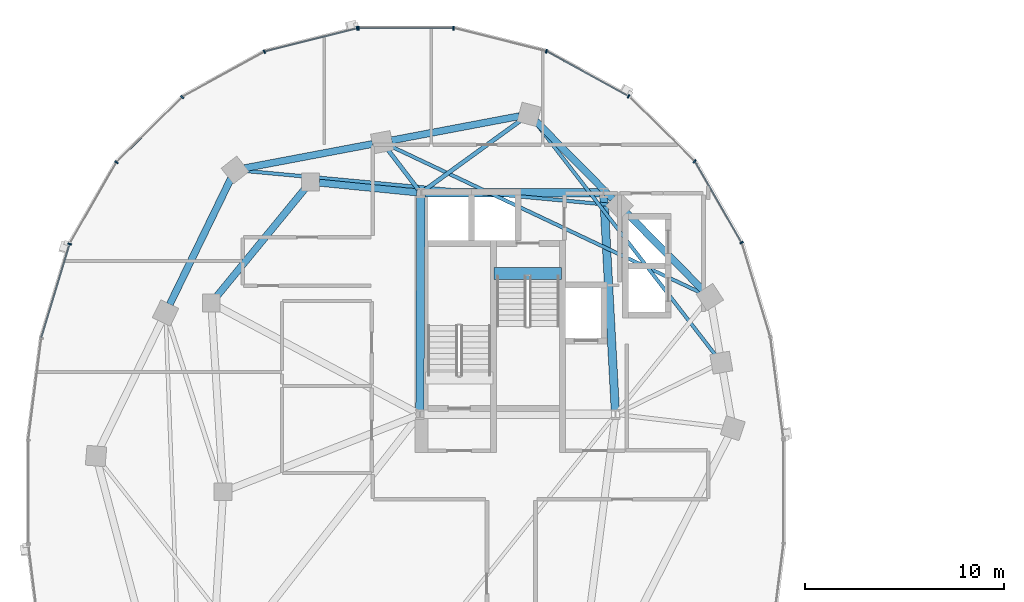
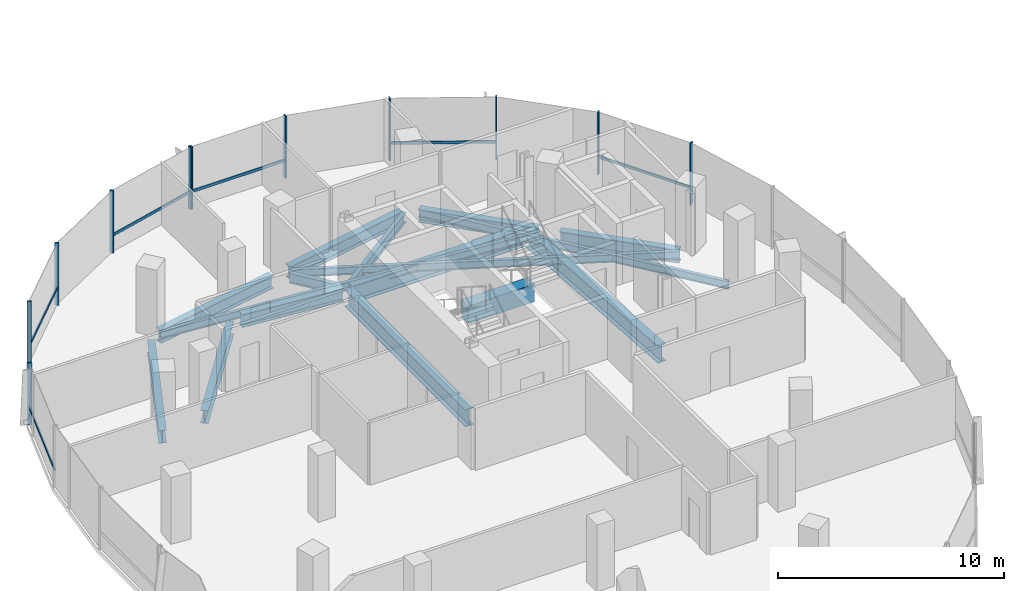
# One storey, part 5 of 22: 17 members, 16 beams, 2 elements without a shape of their own.
"""IFC4 building model written with IfcOpenShell, lengths in metres."""

from ifc_helpers import new_model, si_unit, direction, frame, origin, origin_2d, place, context, subcontext, project, spatial, rectangle, i_section, extrude, material, material_profile, profile_set, type_object, element, aggregate, save


model = new_model("IFC4")

# Units and contexts
model_context = context("Model", 3, precision=1e-05, world=origin(), true_north=direction((0.0, 1.0)))
body_context = subcontext(model_context, "Body", "Model", "MODEL_VIEW")
ifc_project = project(units=[si_unit("LENGTHUNIT", "METRE"), si_unit("AREAUNIT", "SQUARE_METRE"), si_unit("VOLUMEUNIT", "CUBIC_METRE"), si_unit("PLANEANGLEUNIT", "RADIAN"), si_unit("MASSUNIT", "GRAM", prefix="KILO"), si_unit("THERMODYNAMICTEMPERATUREUNIT", "KELVIN"), si_unit("POWERUNIT", "WATT")], contexts=[model_context])

# Site, building, storey
site_placement = place(None, origin())
site = spatial("IfcSite", under=ifc_project, at=site_placement, CompositionType="ELEMENT")
building_placement = place(site_placement, origin())
building = spatial("IfcBuilding", under=site, at=building_placement, Name="Cundina Bronze Exchange", CompositionType="ELEMENT")
storey_placement = place(building_placement, frame((0.0, 0.0, 158.39990234375)))
storey = spatial("IfcBuildingStorey", under=building, at=storey_placement, Name="L41", CompositionType="ELEMENT", Elevation=158.39990234375)

# Beams
ifc_material_1 = material(Name="Concrete C60/75", Category="concrete")
ifc_material_profile_1 = material_profile(ifc_material_1, rectangle(XDim=0.60009765625, YDim=0.949951171875, at=origin_2d()), Name="RC600X950", Category="concrete")
ifc_profile_set_1 = profile_set([ifc_material_profile_1], Name="Concrete C60/75")
beam_type_1 = type_object("IfcBeamType", Name="BM-COUP-RC950", PredefinedType="LINTEL", material=ifc_profile_set_1)
beam_1_placement = place(storey_placement, frame((-27.56005859375, 10.97998046875, -0.474853515625), z_axis=(1.0, 0.0, 0.0), x_axis=(0.0, 1.0, 0.0)))
element("IfcBeam", 1, at=beam_1_placement, inside=storey, type_object=beam_type_1, Name="L41 Stair W2 Landing Header Beam", PredefinedType="LINTEL", context=body_context, shape_type="SweptSolid", body=[
    extrude(rectangle(XDim=0.60009765625, YDim=0.949951171875, at=origin_2d()), origin(), (0.0, 0.0, 1.0), 3.400146484375),
])
ifc_material_2 = material(Name="Steel ASTM A992 Grade 50", Category="steel")
ifc_material_profile_2 = material_profile(ifc_material_2, i_section(OverallWidth=0.2119140625, OverallDepth=0.5439453125, WebThickness=0.01318359375, FlangeThickness=0.021240234375, FilletRadius=0.013916015625, at=origin_2d()), Name="W21X83", Category="steel")
ifc_profile_set_2 = profile_set([ifc_material_profile_2], Name="Steel ASTM A992 Grade 50")
beam_type_2 = type_object("IfcBeamType", Name="BM-FLR-W21A", PredefinedType="BEAM", material=ifc_profile_set_2)
beam_2_placement = place(storey_placement, frame((-31.084716796875, 15.169677734375, -0.511962890625), z_axis=(0.809693047063, 0.586853618492, 0.0), x_axis=(-0.586853618492, 0.809693047063, 0.0)))
element("IfcBeam", 2, at=beam_2_placement, inside=storey, type_object=beam_type_2, Name="L41 Leg W Radial Floor Beam 04", PredefinedType="BEAM", context=body_context, shape_type="SweptSolid", body=[
    extrude(i_section(OverallWidth=0.2119140625, OverallDepth=0.5439453125, WebThickness=0.01318359375, FlangeThickness=0.021240234375, FilletRadius=0.013916015625, at=origin_2d()), origin(), (0.0, 0.0, 1.0), 6.038818359375),
])
beam_3_placement = place(storey_placement, frame((-31.373779296875, 15.2119140625, -0.511962890625), z_axis=(-0.607450107571, 0.794357832977, 0.0), x_axis=(-0.794357832977, -0.607450107571, 0.0)))
element("IfcBeam", 3, at=beam_3_placement, inside=storey, type_object=beam_type_2, Name="L41 Leg W Radial Floor Beam 05", PredefinedType="BEAM", context=body_context, shape_type="SweptSolid", body=[
    extrude(i_section(OverallWidth=0.2119140625, OverallDepth=0.5439453125, WebThickness=0.01318359375, FlangeThickness=0.021240234375, FilletRadius=0.013916015625, at=origin_2d()), origin(), (0.0, 0.0, 1.0), 2.518310546875),
])
ifc_material_profile_3 = material_profile(ifc_material_2, i_section(OverallWidth=0.178955078125, OverallDepth=0.409912109375, WebThickness=0.0087890625, FlangeThickness=0.014404296875, FilletRadius=0.010986328125, at=origin_2d()), Name="W16X45", Category="steel")
ifc_profile_set_3 = profile_set([ifc_material_profile_3], Name="Steel ASTM A992 Grade 50")
beam_type_3 = type_object("IfcBeamType", Name="BM-JST-W16", PredefinedType="JOIST", material=ifc_profile_set_3)
beam_4_placement = place(storey_placement, frame((-16.423583984375, 6.885986328125, -0.44482421875), z_axis=(-0.61208354334, 0.790793105668, 0.0), x_axis=(-0.790793105668, -0.61208354334, 0.0)))
element("IfcBeam", 4, at=beam_4_placement, inside=storey, type_object=beam_type_3, Name="L41 Leg W Lobe Floor Joist 01-04", PredefinedType="JOIST", context=body_context, shape_type="SweptSolid", body=[
    extrude(i_section(OverallWidth=0.178955078125, OverallDepth=0.409912109375, WebThickness=0.0087890625, FlangeThickness=0.014404296875, FilletRadius=0.010986328125, at=origin_2d()), origin(), (0.0, 0.0, 1.0), 14.830810546875),
])
beam_5_placement = place(storey_placement, frame((-17.14111328125, 10.008544921875, -0.44482421875), z_axis=(-0.904074252188, 0.427375416385, 0.0), x_axis=(-0.427375416385, -0.904074252188, 0.0)))
element("IfcBeam", 5, at=beam_5_placement, inside=storey, type_object=beam_type_3, Name="L41 Leg W Lobe Floor Joist 02-05", PredefinedType="JOIST", context=body_context, shape_type="SweptSolid", body=[
    extrude(i_section(OverallWidth=0.178955078125, OverallDepth=0.409912109375, WebThickness=0.0087890625, FlangeThickness=0.014404296875, FilletRadius=0.010986328125, at=origin_2d()), origin(), (0.0, 0.0, 1.0), 17.274658203125),
])
beam_6_placement = place(storey_placement, frame((-21.73583984375, 14.4453125, -0.44482421875), z_axis=(-0.995701840093, 0.092616659595, 0.0), x_axis=(-0.092616659595, -0.995701840093, 0.0)))
element("IfcBeam", 6, at=beam_6_placement, inside=storey, type_object=beam_type_3, Name="L41 Leg W Lobe Floor Joist 03-06", PredefinedType="JOIST", context=body_context, shape_type="SweptSolid", body=[
    extrude(i_section(OverallWidth=0.178955078125, OverallDepth=0.409912109375, WebThickness=0.0087890625, FlangeThickness=0.014404296875, FilletRadius=0.010986328125, at=origin_2d()), origin(), (0.0, 0.0, 1.0), 18.45751953125),
])
ifc_material_profile_4 = material_profile(ifc_material_2, i_section(OverallWidth=0.35498046875, OverallDepth=0.695068359375, WebThickness=0.015380859375, FlangeThickness=0.02490234375, FilletRadius=0.01806640625, at=origin_2d()), Name="W27X146", Category="steel")
ifc_profile_set_4 = profile_set([ifc_material_profile_4], Name="Steel ASTM A992 Grade 50")
beam_type_4 = type_object("IfcBeamType", Name="BM-RING-W27", PredefinedType="USERDEFINED", material=ifc_profile_set_4)
beam_7_placement = place(storey_placement, frame((-31.452880859375, 15.070068359375, -0.58740234375), z_axis=(-0.995123020608, 0.098641643622, 0.0), x_axis=(-0.098641643622, -0.995123020608, 0.0)))
element("IfcBeam", 7, at=beam_7_placement, inside=storey, type_object=beam_type_4, Name="L41 W Inner Structural Ring Girder 01", ObjectType="GIRDER", PredefinedType="USERDEFINED", context=body_context, shape_type="SweptSolid", body=[
    extrude(i_section(OverallWidth=0.35498046875, OverallDepth=0.695068359375, WebThickness=0.015380859375, FlangeThickness=0.02490234375, FilletRadius=0.01806640625, at=origin_2d()), origin(), (0.0, 0.0, 1.0), 4.935302734375),
])
beam_8_placement = place(storey_placement, frame((-37.07763671875, 15.26123046875, -0.58740234375), z_axis=(-0.633912590175, -0.77340469873, 0.0), x_axis=(0.77340469873, -0.633912590175, 0.0)))
element("IfcBeam", 8, at=beam_8_placement, inside=storey, type_object=beam_type_4, Name="L41 W Inner Structural Ring Girder 02", ObjectType="GIRDER", PredefinedType="USERDEFINED", context=body_context, shape_type="SweptSolid", body=[
    extrude(i_section(OverallWidth=0.35498046875, OverallDepth=0.695068359375, WebThickness=0.015380859375, FlangeThickness=0.02490234375, FilletRadius=0.01806640625, at=origin_2d()), origin(), (0.0, 0.0, 1.0), 7.01123046875),
])
beam_9_placement = place(storey_placement, frame((-17.043212890625, 10.14697265625, -0.58740234375), z_axis=(-0.703230112979, 0.710962311378, 0.0), x_axis=(-0.710962311378, -0.703230112979, 0.0)))
element("IfcBeam", 9, at=beam_9_placement, inside=storey, type_object=beam_type_4, Name="L41 W Perimeter Ring Girder 02", ObjectType="GIRDER", PredefinedType="USERDEFINED", context=body_context, shape_type="SweptSolid", body=[
    extrude(i_section(OverallWidth=0.35498046875, OverallDepth=0.695068359375, WebThickness=0.015380859375, FlangeThickness=0.02490234375, FilletRadius=0.01806640625, at=origin_2d()), origin(), (0.0, 0.0, 1.0), 5.493896484375),
])
beam_10_placement = place(storey_placement, frame((-21.59326171875, 14.746826171875, -0.58740234375), z_axis=(-0.703207895705, 0.710984286337, 0.0), x_axis=(-0.710984286337, -0.703207895705, 0.0)))
element("IfcBeam", 10, at=beam_10_placement, inside=storey, type_object=beam_type_4, Name="L41 W Perimeter Ring Girder 03", ObjectType="GIRDER", PredefinedType="USERDEFINED", context=body_context, shape_type="SweptSolid", body=[
    extrude(i_section(OverallWidth=0.35498046875, OverallDepth=0.695068359375, WebThickness=0.015380859375, FlangeThickness=0.02490234375, FilletRadius=0.01806640625, at=origin_2d()), origin(), (0.0, 0.0, 1.0), 5.494140625),
])
beam_11_placement = place(storey_placement, frame((-26.279541015625, 18.9091796875, -0.58740234375), z_axis=(-0.982571532667, -0.185884865421, 0.0), x_axis=(0.185884865421, -0.982571532667, 0.0)))
element("IfcBeam", 11, at=beam_11_placement, inside=storey, type_object=beam_type_4, Name="L41 W Perimeter Ring Girder 04", ObjectType="GIRDER", PredefinedType="USERDEFINED", context=body_context, shape_type="SweptSolid", body=[
    extrude(i_section(OverallWidth=0.35498046875, OverallDepth=0.695068359375, WebThickness=0.015380859375, FlangeThickness=0.02490234375, FilletRadius=0.01806640625, at=origin_2d()), origin(), (0.0, 0.0, 1.0), 6.55517578125),
])
beam_12_placement = place(storey_placement, frame((-33.679443359375, 17.50927734375, -0.58740234375), z_axis=(-0.982572819495, -0.185878063226, 0.0), x_axis=(0.185878063226, -0.982572819495, 0.0)))
element("IfcBeam", 12, at=beam_12_placement, inside=storey, type_object=beam_type_4, Name="L41 W Perimeter Ring Girder 05", ObjectType="GIRDER", PredefinedType="USERDEFINED", context=body_context, shape_type="SweptSolid", body=[
    extrude(i_section(OverallWidth=0.35498046875, OverallDepth=0.695068359375, WebThickness=0.015380859375, FlangeThickness=0.02490234375, FilletRadius=0.01806640625, at=origin_2d()), origin(), (0.0, 0.0, 1.0), 6.555419921875),
])
beam_13_placement = place(storey_placement, frame((-40.8134765625, 15.760986328125, -0.58740234375), z_axis=(-0.437196998825, -0.89936576776, 0.0), x_axis=(0.89936576776, -0.437196998825, 0.0)))
element("IfcBeam", 13, at=beam_13_placement, inside=storey, type_object=beam_type_4, Name="L41 W Perimeter Ring Girder 06", ObjectType="GIRDER", PredefinedType="USERDEFINED", context=body_context, shape_type="SweptSolid", body=[
    extrude(i_section(OverallWidth=0.35498046875, OverallDepth=0.695068359375, WebThickness=0.015380859375, FlangeThickness=0.02490234375, FilletRadius=0.01806640625, at=origin_2d()), origin(), (0.0, 0.0, 1.0), 7.029541015625),
])
ifc_material_profile_5 = material_profile(ifc_material_2, i_section(OverallWidth=0.41796875, OverallDepth=0.927001953125, WebThickness=0.019287109375, FlangeThickness=0.031982421875, FilletRadius=0.02392578125, at=origin_2d()), Name="W36X231", Category="steel")
ifc_profile_set_5 = profile_set([ifc_material_profile_5], Name="Steel ASTM A992 Grade 50")
beam_type_5 = type_object("IfcBeamType", Name="BM-WRN-W36B", PredefinedType="USERDEFINED", material=ifc_profile_set_5)
beam_14_placement = place(storey_placement, frame((-21.4609375, 4.103759765625, -0.703369140625), z_axis=(-0.053739193498, 0.998555005537, 0.0), x_axis=(-0.998555005537, -0.053739193498, 0.0)))
element("IfcBeam", 14, at=beam_14_placement, inside=storey, type_object=beam_type_5, Name="L41 W Core Perimeter Tie Girder 2", ObjectType="GIRDER", PredefinedType="USERDEFINED", context=body_context, shape_type="SweptSolid", body=[
    extrude(i_section(OverallWidth=0.41796875, OverallDepth=0.927001953125, WebThickness=0.019287109375, FlangeThickness=0.031982421875, FilletRadius=0.02392578125, at=origin_2d()), origin(), (0.0, 0.0, 1.0), 10.758056640625),
])
beam_15_placement = place(storey_placement, frame((-22.25390625, 15.050048828125, -0.703369140625), z_axis=(-1.0, 0.0, 0.0), x_axis=(0.0, -1.0, 0.0)))
element("IfcBeam", 15, at=beam_15_placement, inside=storey, type_object=beam_type_5, Name="L41 W Core Perimeter Tie Girder 3", ObjectType="GIRDER", PredefinedType="USERDEFINED", context=body_context, shape_type="SweptSolid", body=[
    extrude(i_section(OverallWidth=0.41796875, OverallDepth=0.927001953125, WebThickness=0.019287109375, FlangeThickness=0.031982421875, FilletRadius=0.02392578125, at=origin_2d()), origin(), (0.0, 0.0, 1.0), 8.7919921875),
])
beam_16_placement = place(storey_placement, frame((-31.2509765625, 14.845947265625, -0.703369140625), z_axis=(-0.004477329608, -0.99998997671, 0.0), x_axis=(0.99998997671, -0.004477329608, 0.0)))
element("IfcBeam", 16, at=beam_16_placement, inside=storey, type_object=beam_type_5, Name="L41 W Core Perimeter Tie Girder 4", ObjectType="GIRDER", PredefinedType="USERDEFINED", context=body_context, shape_type="SweptSolid", body=[
    extrude(i_section(OverallWidth=0.41796875, OverallDepth=0.927001953125, WebThickness=0.019287109375, FlangeThickness=0.031982421875, FilletRadius=0.02392578125, at=origin_2d()), origin(), (0.0, 0.0, 1.0), 10.741943359375),
])

# Curtain wall, members
ifc_material_3 = material(Name="Anodised Bronze Aluminium 6063-T6", Category="aluminium")
curtain_wall_type = type_object("IfcCurtainWallType", Name="CWS-WST-PIN", PredefinedType="NOTDEFINED", material=ifc_material_3)
curtain_wall_1_placement = place(storey_placement, origin())
curtain_wall_1 = element("IfcCurtainWall", 17, at=curtain_wall_1_placement, inside=storey, type_object=curtain_wall_type, Name="L41 CW-04 Curtain Wall Run CWR-L41-W1", PredefinedType="NOTDEFINED")
ifc_material_profile_6 = material_profile(ifc_material_3, rectangle(XDim=0.070068359375, YDim=0.18994140625, at=origin_2d()), Name="AL70X190", Category="aluminium")
ifc_profile_set_6 = profile_set([ifc_material_profile_6], Name="Anodised Bronze Aluminium 6063-T6")
member_type_1 = type_object("IfcMemberType", Name="CWM-MUL-190", PredefinedType="MULLION", material=ifc_profile_set_6)
member_1_placement = place(storey_placement, frame((-15.10205078125, 12.541259765625, 0.0), z_axis=(0.0, 0.0, 1.0), x_axis=(-0.498487739754, 0.866896748936, 0.0)))
member_1 = element("IfcMember", 18, at=member_1_placement, type_object=member_type_1, Name="CW-04 Mullion 3", PredefinedType="MULLION", context=body_context, shape_type="SweptSolid", body=[
    extrude(rectangle(XDim=0.070068359375, YDim=0.18994140625, at=origin_2d()), origin(), (0.0, 0.0, 1.0), 3.360107421875),
])
member_2_placement = place(storey_placement, frame((-17.469482421875, 16.640380859375, 0.0), z_axis=(0.0, 0.0, 1.0), x_axis=(-0.712026045991, 0.702153052995, 0.0)))
member_2 = element("IfcMember", 19, at=member_2_placement, type_object=member_type_1, Name="CW-04 Mullion 4", PredefinedType="MULLION", context=body_context, shape_type="SweptSolid", body=[
    extrude(rectangle(XDim=0.070068359375, YDim=0.18994140625, at=origin_2d()), origin(), (0.0, 0.0, 1.0), 3.360107421875),
])
member_3_placement = place(storey_placement, frame((-20.79345703125, 19.906005859375, 0.0), z_axis=(0.0, 0.0, 1.0), x_axis=(-0.875885937035, 0.482518212408, 0.0)))
member_3 = element("IfcMember", 20, at=member_3_placement, type_object=member_type_1, Name="CW-04 Mullion 5", PredefinedType="MULLION", context=body_context, shape_type="SweptSolid", body=[
    extrude(rectangle(XDim=0.070068359375, YDim=0.18994140625, at=origin_2d()), origin(), (0.0, 0.0, 1.0), 3.360107421875),
])
member_4_placement = place(storey_placement, frame((-24.932373046875, 22.17626953125, 0.0), z_axis=(0.0, 0.0, 1.0), x_axis=(-0.970084240161, 0.242768546132, 0.0)))
member_4 = element("IfcMember", 21, at=member_4_placement, type_object=member_type_1, Name="CW-04 Mullion 6", PredefinedType="MULLION", context=body_context, shape_type="SweptSolid", body=[
    extrude(rectangle(XDim=0.070068359375, YDim=0.18994140625, at=origin_2d()), origin(), (0.0, 0.0, 1.0), 3.360107421875),
])
member_5_placement = place(storey_placement, frame((-29.60595703125, 23.3369140625, 0.0), z_axis=(0.0, 0.0, 1.0), x_axis=(-1.0, 0.0, 0.0)))
member_5 = element("IfcMember", 22, at=member_5_placement, type_object=member_type_1, Name="CW-04 Mullion 7", PredefinedType="MULLION", context=body_context, shape_type="SweptSolid", body=[
    extrude(rectangle(XDim=0.070068359375, YDim=0.18994140625, at=origin_2d()), origin(), (0.0, 0.0, 1.0), 3.360107421875),
])
member_6_placement = place(storey_placement, frame((-34.39404296875, 23.3369140625, 0.0), z_axis=(0.0, 0.0, 1.0), x_axis=(-1.0, 0.0, 0.0)))
member_6 = element("IfcMember", 23, at=member_6_placement, type_object=member_type_1, Name="CW-04 End Mullion", PredefinedType="MULLION", context=body_context, shape_type="SweptSolid", body=[
    extrude(rectangle(XDim=0.070068359375, YDim=0.18994140625, at=origin_2d()), origin(), (0.0, 0.0, 1.0), 3.360107421875),
])

curtain_wall_2_placement = place(storey_placement, origin())
curtain_wall_2 = element("IfcCurtainWall", 24, at=curtain_wall_2_placement, inside=storey, type_object=curtain_wall_type, Name="L41 CW-04 Curtain Wall Run CWR-L41-W2", PredefinedType="NOTDEFINED")
member_7_placement = place(storey_placement, frame((-34.462646484375, 23.32861328125, 0.0), z_axis=(0.0, 0.0, 1.0), x_axis=(-0.970084240161, -0.242768546132, 0.0)))
member_7 = element("IfcMember", 25, at=member_7_placement, type_object=member_type_1, Name="CW-04 Mullion 1", PredefinedType="MULLION", context=body_context, shape_type="SweptSolid", body=[
    extrude(rectangle(XDim=0.070068359375, YDim=0.18994140625, at=origin_2d()), origin(), (0.0, 0.0, 1.0), 3.360107421875),
])
member_8_placement = place(storey_placement, frame((-39.13037109375, 22.151611328125, 0.0), z_axis=(0.0, 0.0, 1.0), x_axis=(-0.875885937035, -0.482518212408, 0.0)))
member_8 = element("IfcMember", 26, at=member_8_placement, type_object=member_type_1, Name="CW-04 Mullion 2", PredefinedType="MULLION", context=body_context, shape_type="SweptSolid", body=[
    extrude(rectangle(XDim=0.070068359375, YDim=0.18994140625, at=origin_2d()), origin(), (0.0, 0.0, 1.0), 3.360107421875),
])
member_9_placement = place(storey_placement, frame((-43.259033203125, 19.86669921875, 0.0), z_axis=(0.0, 0.0, 1.0), x_axis=(-0.712026045991, -0.702153052995, 0.0)))
member_9 = element("IfcMember", 27, at=member_9_placement, type_object=member_type_1, Name="CW-04 Mullion 3", PredefinedType="MULLION", context=body_context, shape_type="SweptSolid", body=[
    extrude(rectangle(XDim=0.070068359375, YDim=0.18994140625, at=origin_2d()), origin(), (0.0, 0.0, 1.0), 3.360107421875),
])
member_10_placement = place(storey_placement, frame((-46.57080078125, 16.588134765625, 0.0), z_axis=(0.0, 0.0, 1.0), x_axis=(-0.498487739754, -0.866896748936, 0.0)))
member_10 = element("IfcMember", 28, at=member_10_placement, type_object=member_type_1, Name="CW-04 Mullion 4", PredefinedType="MULLION", context=body_context, shape_type="SweptSolid", body=[
    extrude(rectangle(XDim=0.070068359375, YDim=0.18994140625, at=origin_2d()), origin(), (0.0, 0.0, 1.0), 3.360107421875),
])
member_11_placement = place(storey_placement, frame((-48.92626953125, 12.4755859375, 0.0), z_axis=(0.0, 0.0, 1.0), x_axis=(-0.290034140915, -0.957016299288, 0.0)))
member_11 = element("IfcMember", 29, at=member_11_placement, type_object=member_type_1, Name="CW-04 Mullion 5", PredefinedType="MULLION", context=body_context, shape_type="SweptSolid", body=[
    extrude(rectangle(XDim=0.070068359375, YDim=0.18994140625, at=origin_2d()), origin(), (0.0, 0.0, 1.0), 3.360107421875),
])

# Member
ifc_material_profile_7 = material_profile(ifc_material_3, rectangle(XDim=0.06494140625, YDim=0.14990234375, at=origin_2d()), Name="AL65X150", Category="aluminium")
ifc_profile_set_7 = profile_set([ifc_material_profile_7], Name="Anodised Bronze Aluminium 6063-T6")
member_type_2 = type_object("IfcMemberType", Name="CWM-TRN-150", PredefinedType="USERDEFINED", material=ifc_profile_set_7)
member_12_placement = place(storey_placement, frame((-15.121337890625, 12.574462890625, 0.920166015625), z_axis=(-0.498479967047, 0.866901218394, 0.0), x_axis=(-0.866901218394, -0.498479967047, 0.0)))
member_12 = element("IfcMember", 30, at=member_12_placement, type_object=member_type_2, Name="CW-04 Spandrel Transom 3", ObjectType="TRANSOM", PredefinedType="USERDEFINED", context=body_context, shape_type="SweptSolid", body=[
    extrude(rectangle(XDim=0.06494140625, YDim=0.14990234375, at=origin_2d()), origin(), (0.0, 0.0, 1.0), 4.66845703125),
])

member_13_placement = place(storey_placement, frame((-20.8271484375, 19.924560546875, 0.920166015625), z_axis=(-0.875878981549, 0.482530838062, 0.0), x_axis=(-0.482530838062, -0.875878981549, 0.0)))
member_13 = element("IfcMember", 31, at=member_13_placement, type_object=member_type_2, Name="CW-04 Spandrel Transom 5", ObjectType="TRANSOM", PredefinedType="USERDEFINED", context=body_context, shape_type="SweptSolid", body=[
    extrude(rectangle(XDim=0.06494140625, YDim=0.14990234375, at=origin_2d()), origin(), (0.0, 0.0, 1.0), 4.65380859375),
])

member_14_placement = place(storey_placement, frame((-29.64453125, 23.3369140625, 0.920166015625), z_axis=(-1.0, 0.0, 0.0), x_axis=(0.0, -1.0, 0.0)))
member_14 = element("IfcMember", 32, at=member_14_placement, type_object=member_type_2, Name="CW-04 Spandrel Transom 7", ObjectType="TRANSOM", PredefinedType="USERDEFINED", context=body_context, shape_type="SweptSolid", body=[
    extrude(rectangle(XDim=0.06494140625, YDim=0.14990234375, at=origin_2d()), origin(), (0.0, 0.0, 1.0), 4.7109375),
])

aggregate(curtain_wall_1, [member_1, member_12, member_2, member_3, member_13, member_4, member_5, member_6, member_14])

member_15_placement = place(storey_placement, frame((-34.5, 23.319091796875, 0.920166015625), z_axis=(-0.970100130035, -0.242705042606, 0.0), x_axis=(0.242705042606, -0.970100130035, 0.0)))
member_15 = element("IfcMember", 33, at=member_15_placement, type_object=member_type_2, Name="CW-04 Spandrel Transom 1", ObjectType="TRANSOM", PredefinedType="USERDEFINED", context=body_context, shape_type="SweptSolid", body=[
    extrude(rectangle(XDim=0.06494140625, YDim=0.14990234375, at=origin_2d()), origin(), (0.0, 0.0, 1.0), 4.746826171875),
])

member_16_placement = place(storey_placement, frame((-43.28662109375, 19.839599609375, 0.920166015625), z_axis=(-0.712005023839, -0.702174370102, 0.0), x_axis=(0.702174370102, -0.712005023839, 0.0)))
member_16 = element("IfcMember", 34, at=member_16_placement, type_object=member_type_2, Name="CW-04 Spandrel Transom 3", ObjectType="TRANSOM", PredefinedType="USERDEFINED", context=body_context, shape_type="SweptSolid", body=[
    extrude(rectangle(XDim=0.06494140625, YDim=0.14990234375, at=origin_2d()), origin(), (0.0, 0.0, 1.0), 4.594482421875),
])

member_17_placement = place(storey_placement, frame((-48.937255859375, 12.43896484375, 0.920166015625), z_axis=(-0.290051855969, -0.957010930371, 0.0), x_axis=(0.957010930371, -0.290051855969, 0.0)))
member_17 = element("IfcMember", 35, at=member_17_placement, type_object=member_type_2, Name="CW-04 Spandrel Transom 5", ObjectType="TRANSOM", PredefinedType="USERDEFINED", context=body_context, shape_type="SweptSolid", body=[
    extrude(rectangle(XDim=0.06494140625, YDim=0.14990234375, at=origin_2d()), origin(), (0.0, 0.0, 1.0), 4.876953125),
])

aggregate(curtain_wall_2, [member_7, member_15, member_8, member_9, member_16, member_10, member_11, member_17])

save(model, "model.ifc")
